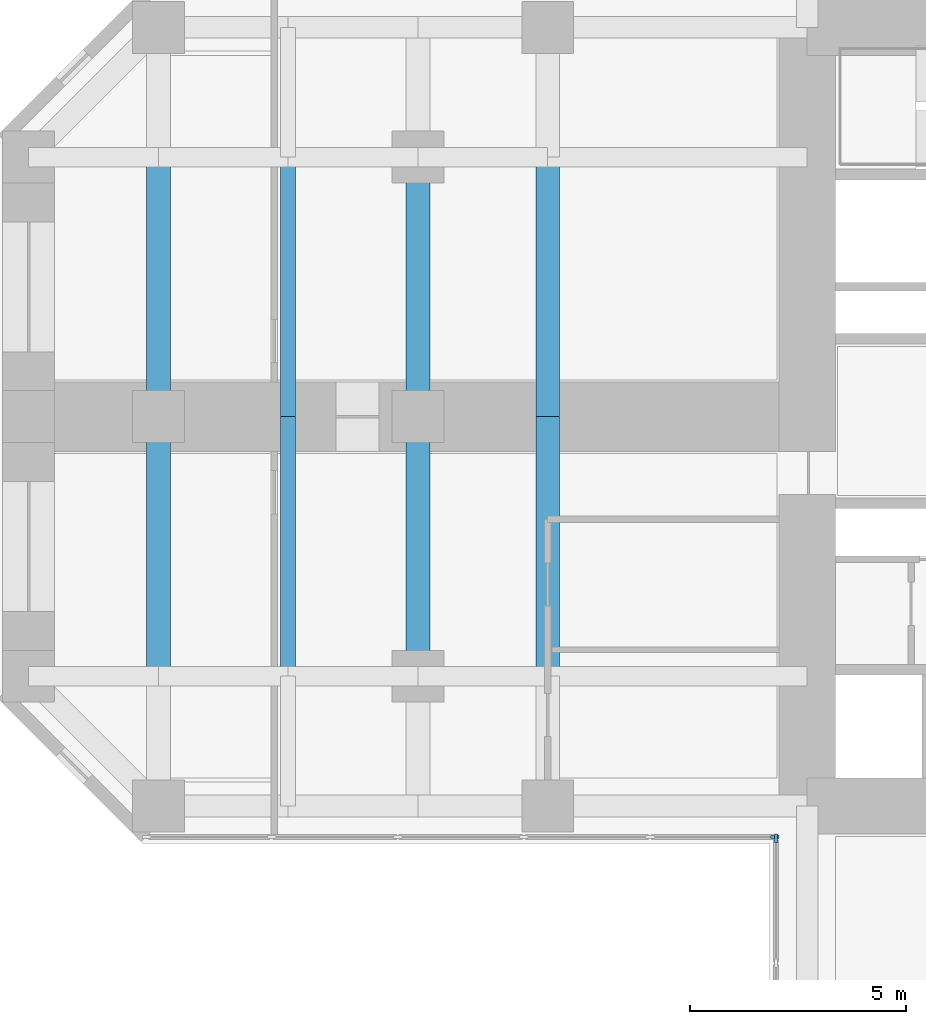
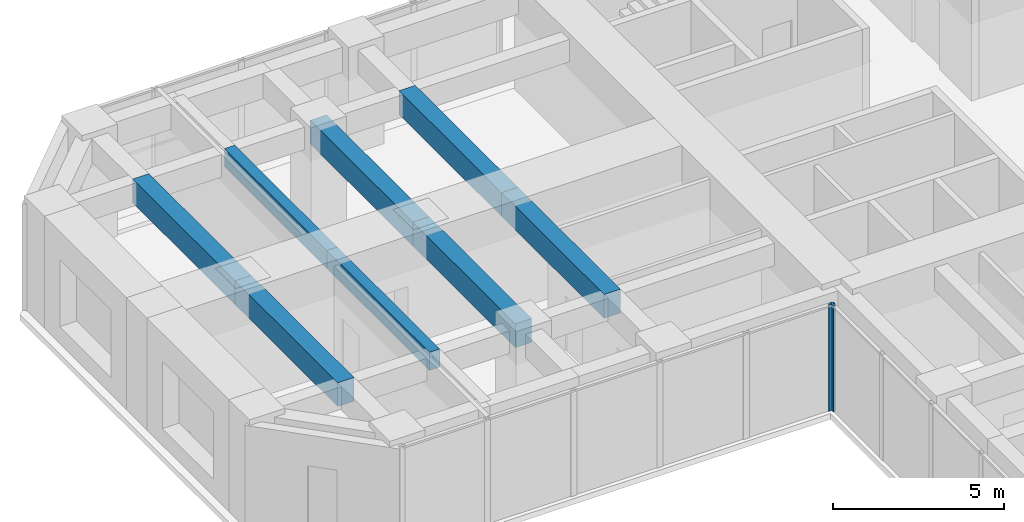
# One storey, part 3 of 12: 8 beams, 2 members, 2 elements without a shape of their own.
"""IFC4 building model written with IfcOpenShell, lengths in metres."""

from ifc_helpers import new_model, si_unit, direction, frame, origin, origin_2d, place, context, subcontext, project, spatial, rectangle, extrude, material, material_profile, profile_set, type_object, element, aggregate, save


model = new_model("IFC4")

# Units and contexts
model_context = context("Model", 3, precision=1e-05, world=origin(), true_north=direction((0.0, 1.0)))
body_context = subcontext(model_context, "Body", "Model", "MODEL_VIEW")
ifc_project = project(units=[si_unit("LENGTHUNIT", "METRE"), si_unit("AREAUNIT", "SQUARE_METRE"), si_unit("VOLUMEUNIT", "CUBIC_METRE"), si_unit("PLANEANGLEUNIT", "RADIAN"), si_unit("MASSUNIT", "GRAM", prefix="KILO")], contexts=[model_context])

# Site, building, storey
site_placement = place(None, origin())
site = spatial("IfcSite", under=ifc_project, at=site_placement, CompositionType="ELEMENT")
building_placement = place(site_placement, origin())
building = spatial("IfcBuilding", under=site, at=building_placement, Name="Torre Cruceta", CompositionType="ELEMENT")
storey_placement = place(building_placement, frame((0.0, 0.0, 39.5)))
storey = spatial("IfcBuildingStorey", under=building, at=storey_placement, Name="L09", CompositionType="ELEMENT", Elevation=39.5)

# Beams
ifc_material_1 = material(Name="Concrete G60 (fck 60 MPa)", Category="concrete")
ifc_material_profile_1 = material_profile(ifc_material_1, rectangle(XDim=0.550048828125, YDim=0.85009765625, at=origin_2d()), Name="RC 550X850")
ifc_profile_set_1 = profile_set([ifc_material_profile_1], Name="Concrete G60 (fck 60 MPa)")
beam_type_1 = type_object("IfcBeamType", Name="CROSS BEAM RC 550X850", PredefinedType="BEAM", material=ifc_profile_set_1)
for number, where, z_axis, x_axis, name in (
    (1, (-15.0, 6.0, 3.375), (0.0, -1.0, 0.0), (1.0, 0.0, 0.0), "GB4 L09 W cross15 2"),
    (2, (-15.0, 0.0, 3.375), (0.0, -1.0, 0.0), (1.0, 0.0, 0.0), "GB4 L09 W cross15 3"),
    (3, (-18.0, 6.0, 3.375), (0.0, -1.0, 0.0), (1.0, 0.0, 0.0), "GB4 L09 W cross18 2"),
    (4, (-18.0, 0.0, 3.375), (0.0, -1.0, 0.0), (1.0, 0.0, 0.0), "GB4 L09 W cross18 3"),
    (5, (-24.0, 6.0, 3.375), (0.0, -1.0, 0.0), (1.0, 0.0, 0.0), "GB4 L09 W cross24 2"),
    (6, (-24.0, 0.0, 3.375), (0.0, -1.0, 0.0), (1.0, 0.0, 0.0), "GB4 L09 W cross24 3"),
):
    element("IfcBeam", number, at=place(storey_placement, frame(where, z_axis=z_axis, x_axis=x_axis)), inside=storey, type_object=beam_type_1, Name=name, PredefinedType="BEAM", context=body_context, shape_type="SweptSolid", body=[
        extrude(rectangle(XDim=0.550048828125, YDim=0.85009765625, at=origin_2d()), origin(), (0.0, 0.0, 1.0), 6.0),
    ])

# Curtain wall, member
ifc_material_2 = material(Name="Aluminium unitised curtain wall", Category="aluminium")
curtain_wall_type = type_object("IfcCurtainWallType", Name="CURTAIN WALL CW-A OFFICE LOW RISE", PredefinedType="USERDEFINED", material=ifc_material_2)
curtain_wall_1_placement = place(storey_placement, origin())
curtain_wall_1 = element("IfcCurtainWall", 7, at=curtain_wall_1_placement, inside=storey, type_object=curtain_wall_type, Name="CW-A L09 W side 14", ObjectType="UNITISED", PredefinedType="USERDEFINED")
ifc_material_3 = material(Name="Aluminium mullion", Category="aluminium")
ifc_material_profile_2 = material_profile(ifc_material_3, rectangle(XDim=0.06494140625, YDim=0.199951171875, at=origin_2d()), Name="AL 65X200")
ifc_profile_set_2 = profile_set([ifc_material_profile_2], Name="Aluminium mullion")
member_type = type_object("IfcMemberType", Name="CW-A MULLION 65X200", PredefinedType="MULLION", material=ifc_profile_set_2)
member_1_placement = place(storey_placement, frame((-9.75244140625, -9.719970703125, 0.0), z_axis=(0.0, 0.0, 1.0), x_axis=(0.0, 1.0, 0.0)))
member_1 = element("IfcMember", 8, at=member_1_placement, type_object=member_type, Name="CW-A mullion 6", PredefinedType="MULLION", context=body_context, shape_type="SweptSolid", body=[
    extrude(rectangle(XDim=0.06494140625, YDim=0.199951171875, at=origin_2d()), origin(), (0.0, 0.0, 1.0), 3.800048828125),
])
aggregate(curtain_wall_1, [member_1])

curtain_wall_2_placement = place(storey_placement, origin())
curtain_wall_2 = element("IfcCurtainWall", 9, at=curtain_wall_2_placement, inside=storey, type_object=curtain_wall_type, Name="CW-A L09 S side 15", ObjectType="UNITISED", PredefinedType="USERDEFINED")
member_2_placement = place(storey_placement, frame((-9.719970703125, -9.75244140625, 0.0), z_axis=(0.0, 0.0, 1.0), x_axis=(1.0, 0.0, 0.0)))
member_2 = element("IfcMember", 10, at=member_2_placement, type_object=member_type, Name="CW-A mullion 1", PredefinedType="MULLION", context=body_context, shape_type="SweptSolid", body=[
    extrude(rectangle(XDim=0.06494140625, YDim=0.199951171875, at=origin_2d()), origin(), (0.0, 0.0, 1.0), 3.800048828125),
])
aggregate(curtain_wall_2, [member_2])

# Beams
ifc_material_4 = material(Name="Concrete G60 (fck 60 MPa)", Category="concrete")
ifc_material_profile_3 = material_profile(ifc_material_4, rectangle(XDim=0.35009765625, YDim=0.64990234375, at=origin_2d()), Name="RC 350X650")
ifc_profile_set_3 = profile_set([ifc_material_profile_3], Name="Concrete G60 (fck 60 MPa)")
beam_type_2 = type_object("IfcBeamType", Name="SECONDARY BEAM RC 350X650", PredefinedType="JOIST", material=ifc_profile_set_3)
for number, where, z_axis, x_axis, name in (
    (11, (-21.0, 6.0, 3.47509765625), (0.0, -1.0, 0.0), (1.0, 0.0, 0.0), "JB3 L09 W sec21 2"),
    (12, (-21.0, 0.0, 3.47509765625), (0.0, -1.0, 0.0), (1.0, 0.0, 0.0), "JB3 L09 W sec21 3"),
):
    element("IfcBeam", number, at=place(storey_placement, frame(where, z_axis=z_axis, x_axis=x_axis)), inside=storey, type_object=beam_type_2, Name=name, PredefinedType="JOIST", context=body_context, shape_type="SweptSolid", body=[
        extrude(rectangle(XDim=0.35009765625, YDim=0.64990234375, at=origin_2d()), origin(), (0.0, 0.0, 1.0), 6.0),
    ])

save(model, "model.ifc")
